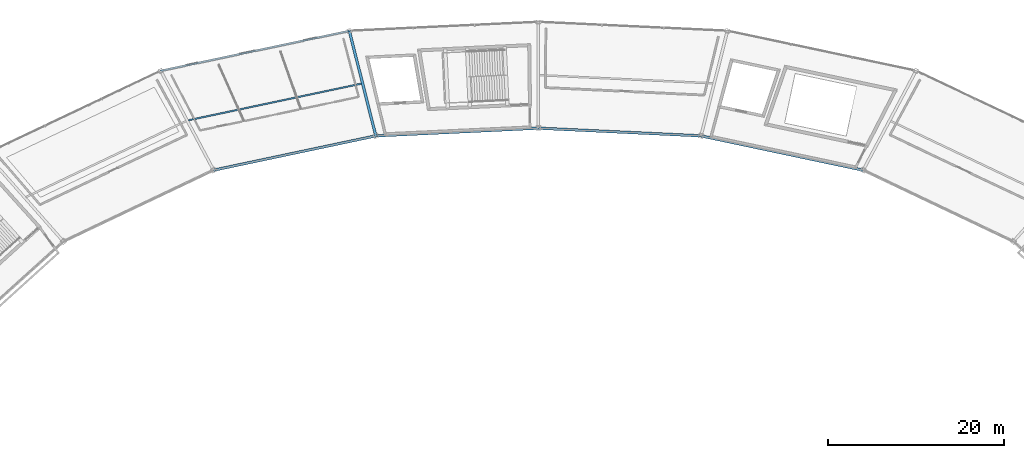
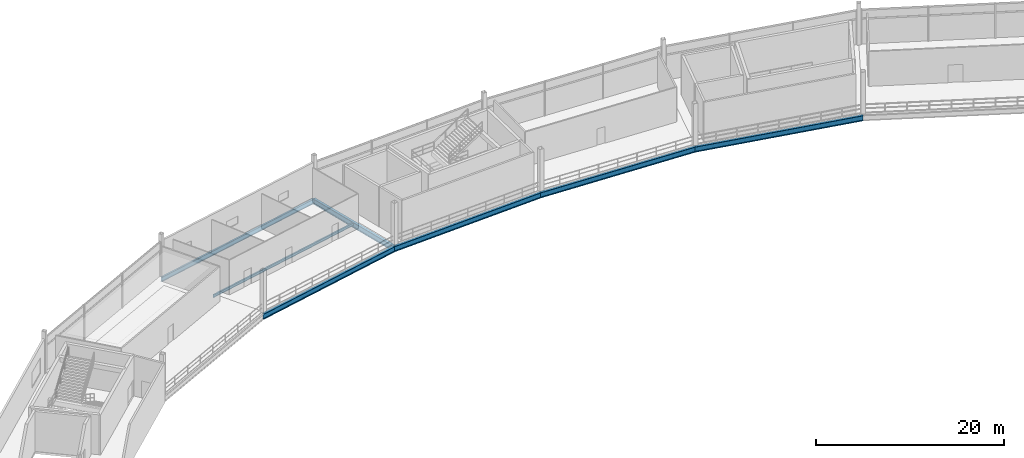
# One storey, part 55 of 103: 7 beams.
"""IFC4 building model written with IfcOpenShell, lengths in metres."""

from ifc_helpers import new_model, si_unit, direction, frame, origin, origin_2d, place, context, subcontext, project, spatial, i_section, extrude, material, material_profile, profile_set, type_object, element, save


model = new_model("IFC4")

# Units and contexts
model_context = context("Model", 3, precision=1e-05, world=origin(), true_north=direction((0.0, 1.0)))
body_context = subcontext(model_context, "Body", "Model", "MODEL_VIEW")
ifc_project = project(units=[si_unit("LENGTHUNIT", "METRE"), si_unit("AREAUNIT", "SQUARE_METRE"), si_unit("VOLUMEUNIT", "CUBIC_METRE"), si_unit("PLANEANGLEUNIT", "RADIAN"), si_unit("MASSUNIT", "GRAM", prefix="KILO")], contexts=[model_context])

# Site, building, storey
site_placement = place(None, origin())
site = spatial("IfcSite", under=ifc_project, at=site_placement, CompositionType="ELEMENT")
building_placement = place(site_placement, origin())
building = spatial("IfcBuilding", under=site, at=building_placement, Name="Kazemori Nagisa Stadium", CompositionType="ELEMENT")
storey_placement = place(building_placement, frame((0.0, 0.0, 25.840087890625)))
storey = spatial("IfcBuildingStorey", under=building, at=storey_placement, Name="L05", CompositionType="ELEMENT", Elevation=25.840087890625)

# Beams
ifc_material = material(Name="Steel SN490B", Category="steel")
ifc_material_profile_1 = material_profile(ifc_material, i_section(OverallWidth=0.300048828125, OverallDepth=0.699951171875, WebThickness=0.012939453125, FlangeThickness=0.02392578125, FilletRadius=0.01806640625, at=origin_2d()), Name="H-700x300x13x24")
ifc_profile_set_1 = profile_set([ifc_material_profile_1], Name="Steel SN490B")
beam_type_1 = type_object("IfcBeamType", Name="Beam_BG-H700", PredefinedType="BEAM", material=ifc_profile_set_1)
beam_1_placement = place(storey_placement, frame((159.81201171875, 171.19921875, -0.610107421875), z_axis=(-0.978345149833, 0.206980114499, 0.0), x_axis=(-0.206980114499, -0.978345149833, 0.0)))
element("IfcBeam", 1, at=beam_1_placement, inside=storey, type_object=beam_type_1, Name="Ring girder BG-H700 L05 R2-06", PredefinedType="BEAM", context=body_context, shape_type="SweptSolid", body=[
    extrude(i_section(OverallWidth=0.300048828125, OverallDepth=0.699951171875, WebThickness=0.012939453125, FlangeThickness=0.02392578125, FilletRadius=0.01806640625, at=origin_2d()), origin(), (0.0, 0.0, 1.0), 18.791259765625),
])
for number, where, z_axis, x_axis, name in (
    (2, (141.427734375, 175.088623046875, -0.610107421875), (-0.9988839804, 0.047231278829, 0.0), (-0.047231278829, -0.9988839804, 0.0), "Ring girder BG-H700 L05 R2-07"),
    (3, (123.0, 175.9599609375, -0.610107421875), (-0.9988839804, -0.047231278829, 0.0), (0.047231278829, -0.9988839804, 0.0), "Ring girder BG-H700 L05 R2-08"),
):
    element("IfcBeam", number, at=place(storey_placement, frame(where, z_axis=z_axis, x_axis=x_axis)), inside=storey, type_object=beam_type_1, Name=name, PredefinedType="BEAM", context=body_context, shape_type="SweptSolid", body=[
        extrude(i_section(OverallWidth=0.300048828125, OverallDepth=0.699951171875, WebThickness=0.012939453125, FlangeThickness=0.02392578125, FilletRadius=0.01806640625, at=origin_2d()), origin(), (0.0, 0.0, 1.0), 18.4482421875),
    ])
beam_2_placement = place(storey_placement, frame((104.572265625, 175.088623046875, -0.610107421875), z_axis=(-0.978345149833, -0.206980114499, 0.0), x_axis=(0.206980114499, -0.978345149833, 0.0)))
element("IfcBeam", 4, at=beam_2_placement, inside=storey, type_object=beam_type_1, Name="Ring girder BG-H700 L05 R2-09", PredefinedType="BEAM", context=body_context, shape_type="SweptSolid", body=[
    extrude(i_section(OverallWidth=0.300048828125, OverallDepth=0.699951171875, WebThickness=0.012939453125, FlangeThickness=0.02392578125, FilletRadius=0.01806640625, at=origin_2d()), origin(), (0.0, 0.0, 1.0), 18.791259765625),
])
beam_3_placement = place(storey_placement, frame((104.572265625, 175.088623046875, -0.610107421875), z_axis=(-0.244487324834, 0.969652488263, 0.0), x_axis=(-0.969652488263, -0.244487324834, 0.0)))
element("IfcBeam", 5, at=beam_3_placement, inside=storey, type_object=beam_type_1, Name="Radial girder BG-H700 L05 R2-R3-09", PredefinedType="BEAM", context=body_context, shape_type="SweptSolid", body=[
    extrude(i_section(OverallWidth=0.300048828125, OverallDepth=0.699951171875, WebThickness=0.012939453125, FlangeThickness=0.02392578125, FilletRadius=0.01806640625, at=origin_2d()), origin(), (0.0, 0.0, 1.0), 12.2705078125),
])
ifc_material_profile_2 = material_profile(ifc_material, i_section(OverallWidth=0.175048828125, OverallDepth=0.35009765625, WebThickness=0.007080078125, FlangeThickness=0.010986328125, FilletRadius=0.012939453125, at=origin_2d()), Name="H-350x175x7x11")
ifc_profile_set_2 = profile_set([ifc_material_profile_2], Name="Steel SN490B")
beam_type_2 = type_object("IfcBeamType", Name="Beam_BJ-H350", PredefinedType="JOIST", material=ifc_profile_set_2)
beam_4_placement = place(storey_placement, frame((102.930419921875, 181.0078125, -0.43505859375), z_axis=(-0.978344719644, -0.20698214789, 0.0), x_axis=(0.20698214789, -0.978344719644, 0.0)))
element("IfcBeam", 6, at=beam_4_placement, inside=storey, type_object=beam_type_2, Name="Outer bay joist BJ-H350 L05 B09", PredefinedType="JOIST", context=body_context, shape_type="SweptSolid", body=[
    extrude(i_section(OverallWidth=0.175048828125, OverallDepth=0.35009765625, WebThickness=0.007080078125, FlangeThickness=0.010986328125, FilletRadius=0.012939453125, at=origin_2d()), origin(), (0.0, 0.0, 1.0), 20.03076171875),
])
ifc_material_profile_3 = material_profile(ifc_material, i_section(OverallWidth=0.199951171875, OverallDepth=0.60009765625, WebThickness=0.010986328125, FlangeThickness=0.01708984375, FilletRadius=0.012939453125, at=origin_2d()), Name="H-600x200x11x17")
ifc_profile_set_3 = profile_set([ifc_material_profile_3], Name="Steel SN490B")
beam_type_3 = type_object("IfcBeamType", Name="Beam_BS-H600", PredefinedType="SPANDREL", material=ifc_profile_set_3)
beam_5_placement = place(storey_placement, frame((101.572265625, 186.98681640625, -0.56005859375), z_axis=(-0.97834587432, -0.206976689994, 0.0), x_axis=(0.206976689994, -0.97834587432, 0.0)))
element("IfcBeam", 7, at=beam_5_placement, inside=storey, type_object=beam_type_3, Name="Ring girder BS-H600 L05 R3-09", PredefinedType="SPANDREL", context=body_context, shape_type="SweptSolid", body=[
    extrude(i_section(OverallWidth=0.199951171875, OverallDepth=0.60009765625, WebThickness=0.010986328125, FlangeThickness=0.01708984375, FilletRadius=0.012939453125, at=origin_2d()), origin(), (0.0, 0.0, 1.0), 21.85009765625),
])

save(model, "model.ifc")
